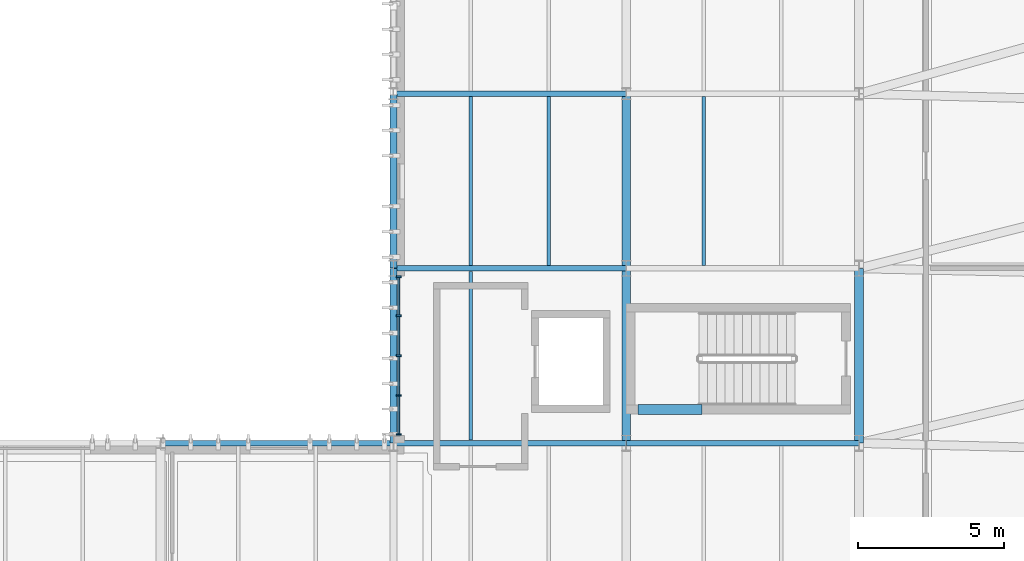
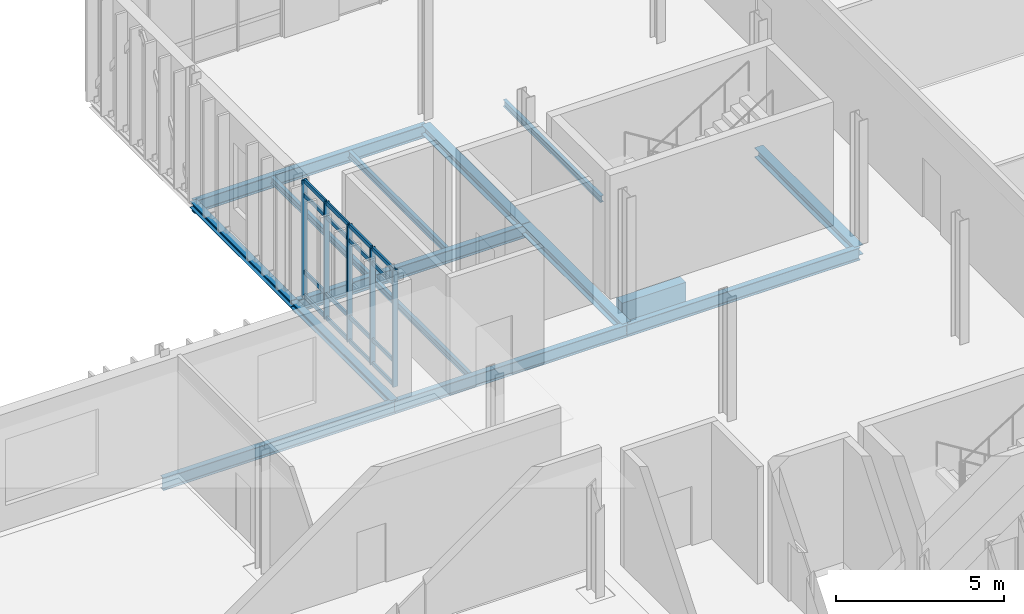
# One storey, part 45 of 100: 21 members, 15 beams, 1 element without a shape of its own.
"""IFC4 building model written with IfcOpenShell, lengths in metres."""

from ifc_helpers import new_model, si_unit, direction, frame, origin, origin_2d, place, context, subcontext, project, spatial, rectangle, i_section, extrude, material, material_profile, profile_set, type_object, element, aggregate, save


model = new_model("IFC4")

# Units and contexts
model_context = context("Model", 3, precision=1e-05, world=origin(), true_north=direction((0.0, 1.0)))
body_context = subcontext(model_context, "Body", "Model", "MODEL_VIEW")
ifc_project = project(units=[si_unit("LENGTHUNIT", "METRE"), si_unit("AREAUNIT", "SQUARE_METRE"), si_unit("VOLUMEUNIT", "CUBIC_METRE"), si_unit("PLANEANGLEUNIT", "RADIAN"), si_unit("MASSUNIT", "GRAM", prefix="KILO")], contexts=[model_context])

# Site, building, storey
site_placement = place(None, origin())
site = spatial("IfcSite", under=ifc_project, at=site_placement, CompositionType="ELEMENT")
building_placement = place(site_placement, origin())
building = spatial("IfcBuilding", under=site, at=building_placement, Name="Cymarion Research Institute", CompositionType="ELEMENT")
storey_placement = place(building_placement, frame((0.0, 0.0, 9.300048828125)))
storey = spatial("IfcBuildingStorey", under=building, at=storey_placement, Name="L02", CompositionType="ELEMENT", Elevation=9.300048828125)

# Beam
ifc_material_1 = material(Name="Concrete C40/50", Category="concrete")
ifc_material_profile_1 = material_profile(ifc_material_1, rectangle(XDim=0.35009765625, YDim=0.85009765625, at=origin_2d()), Name="RC 350x850")
ifc_profile_set_1 = profile_set([ifc_material_profile_1], Name="Concrete C40/50")
beam_type_1 = type_object("IfcBeamType", Name="COUPLING LINTEL LN02 RC 350x850", PredefinedType="LINTEL", material=ifc_profile_set_1)
beam_placement = place(storey_placement, frame((147.0, 24.64990234375, -0.695068359375), z_axis=(1.0, 0.0, 0.0), x_axis=(0.0, 1.0, 0.0)))
element("IfcBeam", 1, at=beam_placement, inside=storey, type_object=beam_type_1, Name="L02 C2 core coupling lintel LN02", PredefinedType="LINTEL", context=body_context, shape_type="SweptSolid", body=[
    extrude(rectangle(XDim=0.35009765625, YDim=0.85009765625, at=origin_2d()), origin(), (0.0, 0.0, 1.0), 2.199951171875),
])

# Curtain wall, members
ifc_material_2 = material(Name="Anodised aluminium unitised curtain wall with Low-E glazing", Category="aluminium")
curtain_wall_type = type_object("IfcCurtainWallType", Name="UNITISED CURTAIN WALL CW06 5480X4250", PredefinedType="NOTDEFINED", material=ifc_material_2)
curtain_wall_placement = place(storey_placement, origin())
curtain_wall = element("IfcCurtainWall", 2, at=curtain_wall_placement, inside=storey, type_object=curtain_wall_type, Name="L02 V1 unitised curtain wall CW06 #71", PredefinedType="NOTDEFINED")
ifc_material_3 = material(Name="Anodised aluminium framing", Category="aluminium")
ifc_material_profile_2 = material_profile(ifc_material_3, rectangle(XDim=0.06005859375, YDim=0.179931640625, at=origin_2d()), Name="ALU MULLION 60x180")
ifc_profile_set_2 = profile_set([ifc_material_profile_2], Name="Anodised aluminium framing")
member_type_1 = type_object("IfcMemberType", Name="CURTAIN WALL MULLION ML01 60X180", PredefinedType="MULLION", material=ifc_profile_set_2)
member_1_placement = place(storey_placement, frame((138.7900390625, 29.2099609375, 0.0), z_axis=(0.0, 0.0, 1.0), x_axis=(0.0, -1.0, 0.0)))
member_1 = element("IfcMember", 3, at=member_1_placement, type_object=member_type_1, Name="CW06 mullion 1", PredefinedType="MULLION", context=body_context, shape_type="SweptSolid", body=[
    extrude(rectangle(XDim=0.06005859375, YDim=0.179931640625, at=origin_2d()), origin(), (0.0, 0.0, 1.0), 4.25),
])
member_2_placement = place(storey_placement, frame((138.7900390625, 27.8701171875, 0.0), z_axis=(0.0, 0.0, 1.0), x_axis=(0.0, -1.0, 0.0)))
member_2 = element("IfcMember", 4, at=member_2_placement, type_object=member_type_1, Name="CW06 mullion 2", PredefinedType="MULLION", context=body_context, shape_type="SweptSolid", body=[
    extrude(rectangle(XDim=0.06005859375, YDim=0.179931640625, at=origin_2d()), origin(), (0.0, 0.0, 1.0), 4.25),
])
member_3_placement = place(storey_placement, frame((138.7900390625, 26.5, 0.0), z_axis=(0.0, 0.0, 1.0), x_axis=(0.0, -1.0, 0.0)))
member_3 = element("IfcMember", 5, at=member_3_placement, type_object=member_type_1, Name="CW06 mullion 3", PredefinedType="MULLION", context=body_context, shape_type="SweptSolid", body=[
    extrude(rectangle(XDim=0.06005859375, YDim=0.179931640625, at=origin_2d()), origin(), (0.0, 0.0, 1.0), 4.25),
])
member_4_placement = place(storey_placement, frame((138.7900390625, 25.1298828125, 0.0), z_axis=(0.0, 0.0, 1.0), x_axis=(0.0, -1.0, 0.0)))
member_4 = element("IfcMember", 6, at=member_4_placement, type_object=member_type_1, Name="CW06 mullion 4", PredefinedType="MULLION", context=body_context, shape_type="SweptSolid", body=[
    extrude(rectangle(XDim=0.06005859375, YDim=0.179931640625, at=origin_2d()), origin(), (0.0, 0.0, 1.0), 4.25),
])
member_5_placement = place(storey_placement, frame((138.7900390625, 23.7900390625, 0.0), z_axis=(0.0, 0.0, 1.0), x_axis=(0.0, -1.0, 0.0)))
member_5 = element("IfcMember", 7, at=member_5_placement, type_object=member_type_1, Name="CW06 mullion 5", PredefinedType="MULLION", context=body_context, shape_type="SweptSolid", body=[
    extrude(rectangle(XDim=0.06005859375, YDim=0.179931640625, at=origin_2d()), origin(), (0.0, 0.0, 1.0), 4.25),
])
ifc_material_profile_3 = material_profile(ifc_material_3, rectangle(XDim=0.06005859375, YDim=0.14990234375, at=origin_2d()), Name="ALU TRANSOM 60x150")
ifc_profile_set_3 = profile_set([ifc_material_profile_3], Name="Anodised aluminium framing")
member_type_2 = type_object("IfcMemberType", Name="CURTAIN WALL TRANSOM TR01 60X150", PredefinedType="USERDEFINED", material=ifc_profile_set_3)
member_6_placement = place(storey_placement, frame((138.7900390625, 29.179931640625, 0.030029296875), z_axis=(0.0, -1.0, 0.0), x_axis=(1.0, 0.0, 0.0)))
member_6 = element("IfcMember", 8, at=member_6_placement, type_object=member_type_2, Name="CW06 transom 1.1", ObjectType="TRANSOM", PredefinedType="USERDEFINED", context=body_context, shape_type="SweptSolid", body=[
    extrude(rectangle(XDim=0.06005859375, YDim=0.14990234375, at=origin_2d()), origin(), (0.0, 0.0, 1.0), 1.280029296875),
])
member_7_placement = place(storey_placement, frame((138.7900390625, 29.179931640625, 0.89990234375), z_axis=(0.0, -1.0, 0.0), x_axis=(1.0, 0.0, 0.0)))
member_7 = element("IfcMember", 9, at=member_7_placement, type_object=member_type_2, Name="CW06 transom 1.2", ObjectType="TRANSOM", PredefinedType="USERDEFINED", context=body_context, shape_type="SweptSolid", body=[
    extrude(rectangle(XDim=0.06005859375, YDim=0.14990234375, at=origin_2d()), origin(), (0.0, 0.0, 1.0), 1.280029296875),
])
member_8_placement = place(storey_placement, frame((138.7900390625, 29.179931640625, 3.699951171875), z_axis=(0.0, -1.0, 0.0), x_axis=(1.0, 0.0, 0.0)))
member_8 = element("IfcMember", 10, at=member_8_placement, type_object=member_type_2, Name="CW06 transom 1.3", ObjectType="TRANSOM", PredefinedType="USERDEFINED", context=body_context, shape_type="SweptSolid", body=[
    extrude(rectangle(XDim=0.06005859375, YDim=0.14990234375, at=origin_2d()), origin(), (0.0, 0.0, 1.0), 1.280029296875),
])
member_9_placement = place(storey_placement, frame((138.7900390625, 29.179931640625, 4.219970703125), z_axis=(0.0, -1.0, 0.0), x_axis=(1.0, 0.0, 0.0)))
member_9 = element("IfcMember", 11, at=member_9_placement, type_object=member_type_2, Name="CW06 transom 1.4", ObjectType="TRANSOM", PredefinedType="USERDEFINED", context=body_context, shape_type="SweptSolid", body=[
    extrude(rectangle(XDim=0.06005859375, YDim=0.14990234375, at=origin_2d()), origin(), (0.0, 0.0, 1.0), 1.280029296875),
])
member_10_placement = place(storey_placement, frame((138.7900390625, 27.840087890625, 0.030029296875), z_axis=(0.0, -1.0, 0.0), x_axis=(1.0, 0.0, 0.0)))
member_10 = element("IfcMember", 12, at=member_10_placement, type_object=member_type_2, Name="CW06 transom 2.1", ObjectType="TRANSOM", PredefinedType="USERDEFINED", context=body_context, shape_type="SweptSolid", body=[
    extrude(rectangle(XDim=0.06005859375, YDim=0.14990234375, at=origin_2d()), origin(), (0.0, 0.0, 1.0), 1.31005859375),
])
member_11_placement = place(storey_placement, frame((138.7900390625, 27.840087890625, 0.89990234375), z_axis=(0.0, -1.0, 0.0), x_axis=(1.0, 0.0, 0.0)))
member_11 = element("IfcMember", 13, at=member_11_placement, type_object=member_type_2, Name="CW06 transom 2.2", ObjectType="TRANSOM", PredefinedType="USERDEFINED", context=body_context, shape_type="SweptSolid", body=[
    extrude(rectangle(XDim=0.06005859375, YDim=0.14990234375, at=origin_2d()), origin(), (0.0, 0.0, 1.0), 1.31005859375),
])
member_12_placement = place(storey_placement, frame((138.7900390625, 27.840087890625, 3.699951171875), z_axis=(0.0, -1.0, 0.0), x_axis=(1.0, 0.0, 0.0)))
member_12 = element("IfcMember", 14, at=member_12_placement, type_object=member_type_2, Name="CW06 transom 2.3", ObjectType="TRANSOM", PredefinedType="USERDEFINED", context=body_context, shape_type="SweptSolid", body=[
    extrude(rectangle(XDim=0.06005859375, YDim=0.14990234375, at=origin_2d()), origin(), (0.0, 0.0, 1.0), 1.31005859375),
])
member_13_placement = place(storey_placement, frame((138.7900390625, 27.840087890625, 4.219970703125), z_axis=(0.0, -1.0, 0.0), x_axis=(1.0, 0.0, 0.0)))
member_13 = element("IfcMember", 15, at=member_13_placement, type_object=member_type_2, Name="CW06 transom 2.4", ObjectType="TRANSOM", PredefinedType="USERDEFINED", context=body_context, shape_type="SweptSolid", body=[
    extrude(rectangle(XDim=0.06005859375, YDim=0.14990234375, at=origin_2d()), origin(), (0.0, 0.0, 1.0), 1.31005859375),
])
member_14_placement = place(storey_placement, frame((138.7900390625, 26.469970703125, 0.030029296875), z_axis=(0.0, -1.0, 0.0), x_axis=(1.0, 0.0, 0.0)))
member_14 = element("IfcMember", 16, at=member_14_placement, type_object=member_type_2, Name="CW06 transom 3.1", ObjectType="TRANSOM", PredefinedType="USERDEFINED", context=body_context, shape_type="SweptSolid", body=[
    extrude(rectangle(XDim=0.06005859375, YDim=0.14990234375, at=origin_2d()), origin(), (0.0, 0.0, 1.0), 1.31005859375),
])
member_15_placement = place(storey_placement, frame((138.7900390625, 26.469970703125, 0.89990234375), z_axis=(0.0, -1.0, 0.0), x_axis=(1.0, 0.0, 0.0)))
member_15 = element("IfcMember", 17, at=member_15_placement, type_object=member_type_2, Name="CW06 transom 3.2", ObjectType="TRANSOM", PredefinedType="USERDEFINED", context=body_context, shape_type="SweptSolid", body=[
    extrude(rectangle(XDim=0.06005859375, YDim=0.14990234375, at=origin_2d()), origin(), (0.0, 0.0, 1.0), 1.31005859375),
])
member_16_placement = place(storey_placement, frame((138.7900390625, 26.469970703125, 3.699951171875), z_axis=(0.0, -1.0, 0.0), x_axis=(1.0, 0.0, 0.0)))
member_16 = element("IfcMember", 18, at=member_16_placement, type_object=member_type_2, Name="CW06 transom 3.3", ObjectType="TRANSOM", PredefinedType="USERDEFINED", context=body_context, shape_type="SweptSolid", body=[
    extrude(rectangle(XDim=0.06005859375, YDim=0.14990234375, at=origin_2d()), origin(), (0.0, 0.0, 1.0), 1.31005859375),
])
member_17_placement = place(storey_placement, frame((138.7900390625, 26.469970703125, 4.219970703125), z_axis=(0.0, -1.0, 0.0), x_axis=(1.0, 0.0, 0.0)))
member_17 = element("IfcMember", 19, at=member_17_placement, type_object=member_type_2, Name="CW06 transom 3.4", ObjectType="TRANSOM", PredefinedType="USERDEFINED", context=body_context, shape_type="SweptSolid", body=[
    extrude(rectangle(XDim=0.06005859375, YDim=0.14990234375, at=origin_2d()), origin(), (0.0, 0.0, 1.0), 1.31005859375),
])
member_18_placement = place(storey_placement, frame((138.7900390625, 25.10009765625, 0.030029296875), z_axis=(0.0, -1.0, 0.0), x_axis=(1.0, 0.0, 0.0)))
member_18 = element("IfcMember", 20, at=member_18_placement, type_object=member_type_2, Name="CW06 transom 4.1", ObjectType="TRANSOM", PredefinedType="USERDEFINED", context=body_context, shape_type="SweptSolid", body=[
    extrude(rectangle(XDim=0.06005859375, YDim=0.14990234375, at=origin_2d()), origin(), (0.0, 0.0, 1.0), 1.280029296875),
])
member_19_placement = place(storey_placement, frame((138.7900390625, 25.10009765625, 0.89990234375), z_axis=(0.0, -1.0, 0.0), x_axis=(1.0, 0.0, 0.0)))
member_19 = element("IfcMember", 21, at=member_19_placement, type_object=member_type_2, Name="CW06 transom 4.2", ObjectType="TRANSOM", PredefinedType="USERDEFINED", context=body_context, shape_type="SweptSolid", body=[
    extrude(rectangle(XDim=0.06005859375, YDim=0.14990234375, at=origin_2d()), origin(), (0.0, 0.0, 1.0), 1.280029296875),
])
member_20_placement = place(storey_placement, frame((138.7900390625, 25.10009765625, 3.699951171875), z_axis=(0.0, -1.0, 0.0), x_axis=(1.0, 0.0, 0.0)))
member_20 = element("IfcMember", 22, at=member_20_placement, type_object=member_type_2, Name="CW06 transom 4.3", ObjectType="TRANSOM", PredefinedType="USERDEFINED", context=body_context, shape_type="SweptSolid", body=[
    extrude(rectangle(XDim=0.06005859375, YDim=0.14990234375, at=origin_2d()), origin(), (0.0, 0.0, 1.0), 1.280029296875),
])
member_21_placement = place(storey_placement, frame((138.7900390625, 25.10009765625, 4.219970703125), z_axis=(0.0, -1.0, 0.0), x_axis=(1.0, 0.0, 0.0)))
member_21 = element("IfcMember", 23, at=member_21_placement, type_object=member_type_2, Name="CW06 transom 4.4", ObjectType="TRANSOM", PredefinedType="USERDEFINED", context=body_context, shape_type="SweptSolid", body=[
    extrude(rectangle(XDim=0.06005859375, YDim=0.14990234375, at=origin_2d()), origin(), (0.0, 0.0, 1.0), 1.280029296875),
])
aggregate(curtain_wall, [member_1, member_2, member_3, member_4, member_5, member_6, member_7, member_8, member_9, member_10, member_11, member_12, member_13, member_14, member_15, member_16, member_17, member_18, member_19, member_20, member_21])

# Beams
ifc_material_4 = material(Name="Steel S355", Category="steel")
ifc_material_profile_4 = material_profile(ifc_material_4, i_section(OverallWidth=0.18994140625, OverallDepth=0.449951171875, WebThickness=0.009521484375, FlangeThickness=0.0146484375, FilletRadius=0.02099609375, at=origin_2d()), Name="IPE 450")
ifc_profile_set_4 = profile_set([ifc_material_profile_4], Name="Steel S355")
beam_type_2 = type_object("IfcBeamType", Name="PRIMARY GIRDER BM04 IPE 450", PredefinedType="BEAM", material=ifc_profile_set_4)
for number, where, z_axis, x_axis, name in (
    (24, (130.60595703125, 23.5, -0.47509765625), (1.0, 0.0, 0.0), (0.0, 1.0, 0.0), "L02 V1 girder BM04 #780"),
    (25, (138.60595703125, 23.5, -0.47509765625), (1.0, 0.0, 0.0), (0.0, 1.0, 0.0), "L02 V1 girder BM04 #781"),
    (26, (146.60595703125, 23.5, -0.47509765625), (1.0, 0.0, 0.0), (0.0, 1.0, 0.0), "L02 V1 girder BM04 #782"),
    (27, (138.60595703125, 29.5, -0.47509765625), (1.0, 0.0, 0.0), (0.0, 1.0, 0.0), "L02 V1 girder BM04 #783"),
    (28, (138.60595703125, 35.5, -0.47509765625), (1.0, 0.0, 0.0), (0.0, 1.0, 0.0), "L02 V1 girder BM04 #785"),
):
    element("IfcBeam", number, at=place(storey_placement, frame(where, z_axis=z_axis, x_axis=x_axis)), inside=storey, type_object=beam_type_2, Name=name, PredefinedType="BEAM", context=body_context, shape_type="SweptSolid", body=[
        extrude(i_section(OverallWidth=0.18994140625, OverallDepth=0.449951171875, WebThickness=0.009521484375, FlangeThickness=0.0146484375, FilletRadius=0.02099609375, at=origin_2d()), origin(), (0.0, 0.0, 1.0), 7.988037109375),
    ])
ifc_material_profile_5 = material_profile(ifc_material_4, i_section(OverallWidth=0.300048828125, OverallDepth=0.35009765625, WebThickness=0.010009765625, FlangeThickness=0.017578125, FilletRadius=0.027099609375, at=origin_2d()), Name="HEA 360")
ifc_profile_set_5 = profile_set([ifc_material_profile_5], Name="Steel S355")
beam_type_3 = type_object("IfcBeamType", Name="PRIMARY GIRDER BM12 HEA 360", PredefinedType="BEAM", material=ifc_profile_set_5)
for number, where, z_axis, x_axis, name in (
    (29, (146.60009765625, 23.506103515625, -0.425048828125), (0.0, 1.0, 0.0), (-1.0, 0.0, 0.0), "L02 V1 girder BM12 #809"),
    (30, (146.60009765625, 29.506103515625, -0.425048828125), (0.0, 1.0, 0.0), (-1.0, 0.0, 0.0), "L02 V1 girder BM12 #810"),
    (31, (154.60009765625, 23.506103515625, -0.425048828125), (0.0, 1.0, 0.0), (-1.0, 0.0, 0.0), "L02 V1 girder BM12 #814"),
):
    element("IfcBeam", number, at=place(storey_placement, frame(where, z_axis=z_axis, x_axis=x_axis)), inside=storey, type_object=beam_type_3, Name=name, PredefinedType="BEAM", context=body_context, shape_type="SweptSolid", body=[
        extrude(i_section(OverallWidth=0.300048828125, OverallDepth=0.35009765625, WebThickness=0.010009765625, FlangeThickness=0.017578125, FilletRadius=0.027099609375, at=origin_2d()), origin(), (0.0, 0.0, 1.0), 5.98779296875),
    ])
ifc_material_profile_6 = material_profile(ifc_material_4, i_section(OverallWidth=0.1201171875, OverallDepth=0.239990234375, WebThickness=0.006103515625, FlangeThickness=0.009765625, FilletRadius=0.014892578125, at=origin_2d()), Name="IPE 240")
ifc_profile_set_6 = profile_set([ifc_material_profile_6], Name="Steel S355")
beam_type_4 = type_object("IfcBeamType", Name="SECONDARY JOIST JS04 IPE 240", PredefinedType="JOIST", material=ifc_profile_set_6)
for number, where, z_axis, x_axis, name in (
    (32, (141.2666015625, 23.59912109375, -0.3701171875), (0.0, 1.0, 0.0), (-1.0, 0.0, 0.0), "L02 V1 secondary joist JS04 #862"),
    (33, (141.2666015625, 29.59912109375, -0.3701171875), (0.0, 1.0, 0.0), (-1.0, 0.0, 0.0), "L02 V1 secondary joist JS04 #863"),
    (34, (143.933349609375, 29.59912109375, -0.3701171875), (0.0, 1.0, 0.0), (-1.0, 0.0, 0.0), "L02 V1 secondary joist JS04 #864"),
    (35, (149.2666015625, 29.59912109375, -0.3701171875), (0.0, 1.0, 0.0), (-1.0, 0.0, 0.0), "L02 V1 secondary joist JS04 #865"),
):
    element("IfcBeam", number, at=place(storey_placement, frame(where, z_axis=z_axis, x_axis=x_axis)), inside=storey, type_object=beam_type_4, Name=name, PredefinedType="JOIST", context=body_context, shape_type="SweptSolid", body=[
        extrude(i_section(OverallWidth=0.1201171875, OverallDepth=0.239990234375, WebThickness=0.006103515625, FlangeThickness=0.009765625, FilletRadius=0.014892578125, at=origin_2d()), origin(), (0.0, 0.0, 1.0), 5.8017578125),
    ])
ifc_material_profile_7 = material_profile(ifc_material_4, i_section(OverallWidth=0.239990234375, OverallDepth=0.22998046875, WebThickness=0.007568359375, FlangeThickness=0.011962890625, FilletRadius=0.02099609375, at=origin_2d()), Name="HEA 240")
ifc_profile_set_7 = profile_set([ifc_material_profile_7], Name="Steel S355")
beam_type_5 = type_object("IfcBeamType", Name="SPANDREL BEAM SPB03 HEA 240", PredefinedType="SPANDREL", material=ifc_profile_set_7)
for number, where, z_axis, x_axis, name in (
    (36, (138.60009765625, 23.506103515625, -0.364990234375), (0.0, 1.0, 0.0), (-1.0, 0.0, 0.0), "L02 V1 girder SPB03 #804"),
    (37, (138.60009765625, 29.506103515625, -0.364990234375), (0.0, 1.0, 0.0), (-1.0, 0.0, 0.0), "L02 V1 girder SPB03 #805"),
):
    element("IfcBeam", number, at=place(storey_placement, frame(where, z_axis=z_axis, x_axis=x_axis)), inside=storey, type_object=beam_type_5, Name=name, PredefinedType="SPANDREL", context=body_context, shape_type="SweptSolid", body=[
        extrude(i_section(OverallWidth=0.239990234375, OverallDepth=0.22998046875, WebThickness=0.007568359375, FlangeThickness=0.011962890625, FilletRadius=0.02099609375, at=origin_2d()), origin(), (0.0, 0.0, 1.0), 5.98779296875),
    ])

save(model, "model.ifc")
